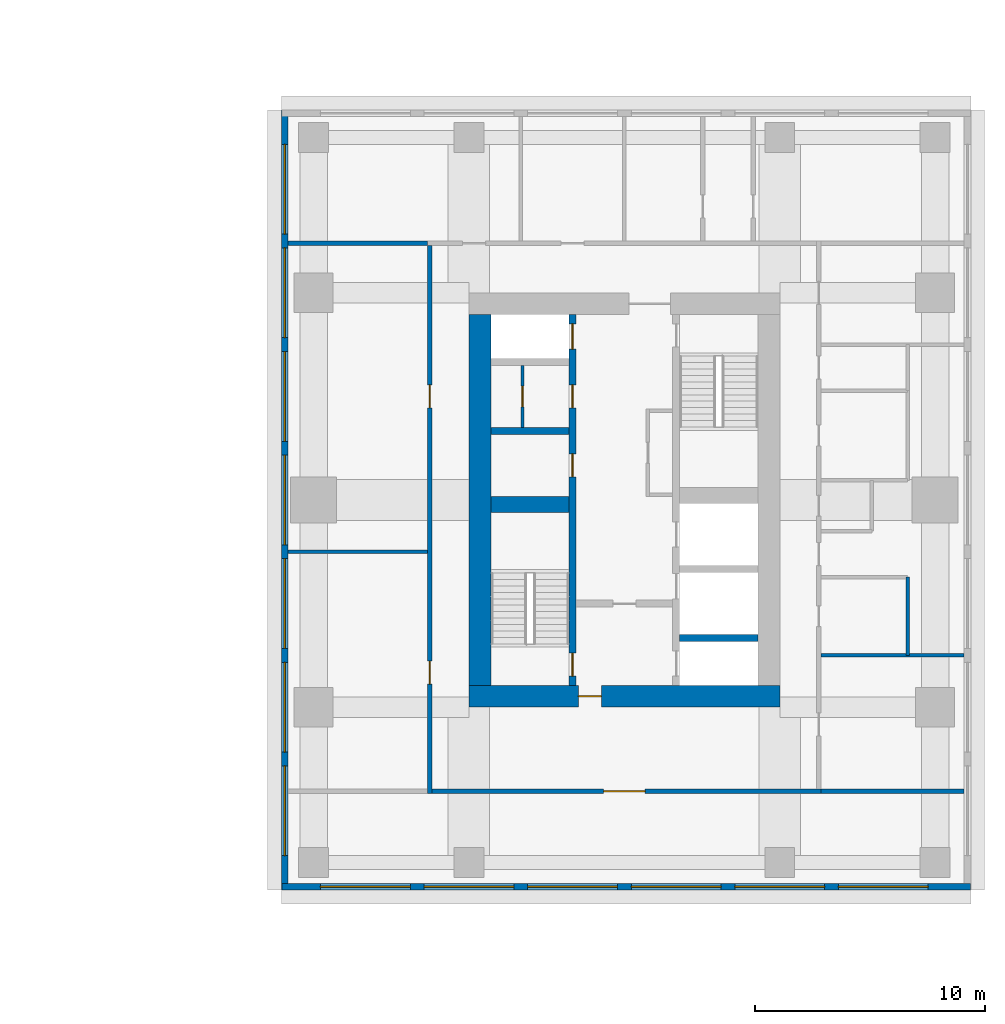
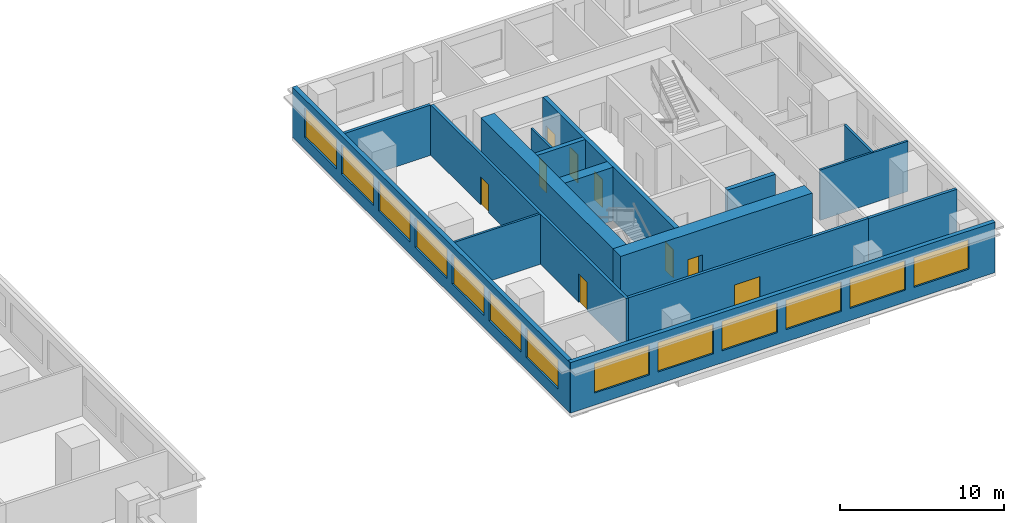
# One storey, part 6 of 11: 16 walls, 13 windows, 9 doors, 22 openings.
"""IFC4 building model written with IfcOpenShell, lengths in metres."""

from ifc_helpers import new_model, si_unit, direction, frame, frame_2d, origin, place, context, subcontext, project, spatial, rectangle, extrude, material, layer, layer_set, type_object, element, fill, save


model = new_model("IFC4")

# Units and contexts
model_context = context("Model", 3, precision=1e-05, world=origin(), true_north=direction((0.0, 1.0)))
body_context = subcontext(model_context, "Body", "Model", "MODEL_VIEW")
ifc_project = project(units=[si_unit("LENGTHUNIT", "METRE"), si_unit("AREAUNIT", "SQUARE_METRE"), si_unit("VOLUMEUNIT", "CUBIC_METRE"), si_unit("PLANEANGLEUNIT", "RADIAN"), si_unit("MASSUNIT", "GRAM", prefix="KILO")], contexts=[model_context])

# Site, building, storey
site_placement = place(None, origin())
site = spatial("IfcSite", under=ifc_project, at=site_placement, CompositionType="ELEMENT")
building_placement = place(site_placement, origin())
building = spatial("IfcBuilding", under=site, at=building_placement, Name="Namib Vertical Campus", CompositionType="ELEMENT")
storey_placement = place(building_placement, frame((0.0, 0.0, 209.0)))
storey = spatial("IfcBuildingStorey", under=building, at=storey_placement, Name="L49", CompositionType="ELEMENT", Elevation=209.0)

# Wall, openings, doors
ifc_material_1 = material(Name="Concrete C60/75", Category="concrete")
ifc_layer_1 = layer(ifc_material_1, 0.300048828125)
ifc_layer_set_1 = layer_set([ifc_layer_1], Name="Concrete C60/75")
wall_type_1 = type_object("IfcWallType", Name="Core inner wall 300", PredefinedType="SHEAR", material=ifc_layer_set_1)
wall_1_placement = place(storey_placement, frame((78.75, 12.199951171875, 0.0), z_axis=(0.0, 0.0, 1.0), x_axis=(0.0, 1.0, 0.0)))
wall_1 = element("IfcWall", 1, at=wall_1_placement, inside=storey, type_object=wall_type_1, Name="Core inner wall B L49 W1", PredefinedType="SHEAR", context=body_context, shape_type="SweptSolid", body=[
    extrude(rectangle(XDim=16.10009765625, YDim=0.300048828125, at=frame_2d((8.050048828125, 0.0))), origin(), (0.0, 0.0, 1.0), 4.0),
])
opening_1_placement = place(wall_1_placement, frame((0.39990234375, 0.0, 0.0)))
opening_1 = element("IfcOpeningElement", 2, at=opening_1_placement, cuts=wall_1, Name="Opening FD1", PredefinedType="OPENING", context=body_context, shape_type="SweptSolid", body=[
    extrude(rectangle(XDim=1.0, YDim=2.10009765625, at=frame_2d((0.5, 1.050048828125))), frame((0.0, 0.159912109375, 0.0), z_axis=(0.0, -1.0, 0.0), x_axis=(1.0, 0.0, 0.0)), (0.0, 0.0, 1.0), 0.320068359375),
])
opening_2_placement = place(wall_1_placement, frame((14.60009765625, 0.0, 0.0)))
opening_2 = element("IfcOpeningElement", 3, at=opening_2_placement, cuts=wall_1, Name="Opening LD1", PredefinedType="OPENING", context=body_context, shape_type="SweptSolid", body=[
    extrude(rectangle(XDim=1.10009765625, YDim=2.10009765625, at=frame_2d((0.550048828125, 1.050048828125))), frame((0.0, 0.159912109375, 0.0), z_axis=(0.0, -1.0, 0.0), x_axis=(1.0, 0.0, 0.0)), (0.0, 0.0, 1.0), 0.320068359375),
])
opening_3_placement = place(wall_1_placement, frame((9.050048828125, 0.0, 0.0)))
opening_3 = element("IfcOpeningElement", 4, at=opening_3_placement, cuts=wall_1, Name="Opening D1", PredefinedType="OPENING", context=body_context, shape_type="SweptSolid", body=[
    extrude(rectangle(XDim=1.0, YDim=2.10009765625, at=frame_2d((0.5, 1.050048828125))), frame((0.0, 0.159912109375, 0.0), z_axis=(0.0, -1.0, 0.0), x_axis=(1.0, 0.0, 0.0)), (0.0, 0.0, 1.0), 0.320068359375),
])
opening_4_placement = place(wall_1_placement, frame((12.050048828125, 0.0, 0.0)))
opening_4 = element("IfcOpeningElement", 5, at=opening_4_placement, cuts=wall_1, Name="Opening D1", PredefinedType="OPENING", context=body_context, shape_type="SweptSolid", body=[
    extrude(rectangle(XDim=1.0, YDim=2.10009765625, at=frame_2d((0.5, 1.050048828125))), frame((0.0, 0.159912109375, 0.0), z_axis=(0.0, -1.0, 0.0), x_axis=(1.0, 0.0, 0.0)), (0.0, 0.0, 1.0), 0.320068359375),
])
ifc_material_2 = material(Name="Timber door leaf", Category="wood")
door_type_1 = type_object("IfcDoorType", Name="Door single 1000x2100", OperationType="SINGLE_SWING_LEFT", PredefinedType="DOOR", material=ifc_material_2)
door_1_placement = place(opening_3_placement, origin())
door_1 = element("IfcDoor", 6, at=door_1_placement, inside=storey, type_object=door_type_1, Name="Door D1 Comms room B L49 P1", OperationType="SINGLE_SWING_LEFT", OverallHeight=2.10009765625, OverallWidth=1.0, PredefinedType="DOOR", context=body_context, shape_type="SweptSolid", body=[
    extrude(rectangle(XDim=1.0, YDim=2.10009765625, at=frame_2d((0.5, 1.050048828125))), frame((0.0, 0.02490234375, 0.0), z_axis=(0.0, -1.0, 0.0), x_axis=(1.0, 0.0, 0.0)), (0.0, 0.0, 1.0), 0.050048828125),
])
fill(opening_3, door_1)
door_2_placement = place(opening_4_placement, origin())
door_2 = element("IfcDoor", 7, at=door_2_placement, inside=storey, type_object=door_type_1, Name="Door D1 Store B L49 P2", OperationType="SINGLE_SWING_LEFT", OverallHeight=2.10009765625, OverallWidth=1.0, PredefinedType="DOOR", context=body_context, shape_type="SweptSolid", body=[
    extrude(rectangle(XDim=1.0, YDim=2.10009765625, at=frame_2d((0.5, 1.050048828125))), frame((0.0, 0.02490234375, 0.0), z_axis=(0.0, -1.0, 0.0), x_axis=(1.0, 0.0, 0.0)), (0.0, 0.0, 1.0), 0.050048828125),
])
fill(opening_4, door_2)
ifc_material_3 = material(Name="Steel fire door", Category="steel")
door_type_2 = type_object("IfcDoorType", Name="Fire door 1000x2100", OperationType="SINGLE_SWING_RIGHT", PredefinedType="DOOR", material=ifc_material_3)
door_3_placement = place(opening_1_placement, origin())
door_3 = element("IfcDoor", 8, at=door_3_placement, inside=storey, type_object=door_type_2, Name="Stair door FD1 B L49 S1", OperationType="SINGLE_SWING_LEFT", OverallHeight=2.10009765625, OverallWidth=1.0, PredefinedType="DOOR", context=body_context, shape_type="SweptSolid", body=[
    extrude(rectangle(XDim=1.0, YDim=2.10009765625, at=frame_2d((0.5, 1.050048828125))), frame((0.0, 0.02490234375, 0.0), z_axis=(0.0, -1.0, 0.0), x_axis=(1.0, 0.0, 0.0)), (0.0, 0.0, 1.0), 0.050048828125),
])
fill(opening_1, door_3)
ifc_material_4 = material(Name="Stainless steel lift door", Category="steel")
door_type_3 = type_object("IfcDoorType", Name="Lift landing door 1100x2100", OperationType="DOUBLE_DOOR_SLIDING", PredefinedType="DOOR", material=ifc_material_4)
door_4_placement = place(opening_2_placement, origin())
door_4 = element("IfcDoor", 9, at=door_4_placement, inside=storey, type_object=door_type_3, Name="Lift landing door LD1 B-P3 L49", OperationType="DOUBLE_DOOR_SLIDING", OverallHeight=2.10009765625, OverallWidth=1.10009765625, PredefinedType="DOOR", context=body_context, shape_type="SweptSolid", body=[
    extrude(rectangle(XDim=1.10009765625, YDim=2.10009765625, at=frame_2d((0.550048828125, 1.050048828125))), frame((0.0, 0.02490234375, 0.0), z_axis=(0.0, -1.0, 0.0), x_axis=(1.0, 0.0, 0.0)), (0.0, 0.0, 1.0), 0.050048828125),
])
fill(opening_2, door_4)

# Walls
for number, where, z_axis, x_axis, name in (
    (10, (83.39990234375, 14.25, 0.0), (0.0, 0.0, 1.0), (1.0, 0.0, 0.0), "Core inner wall B L49 W5"),
    (11, (75.199951171875, 23.25, 0.0), (0.0, 0.0, 1.0), (1.0, 0.0, 0.0), "Core inner wall B L49 W8"),
):
    element("IfcWall", number, at=place(storey_placement, frame(where, z_axis=z_axis, x_axis=x_axis)), inside=storey, type_object=wall_type_1, Name=name, PredefinedType="SHEAR", context=body_context, shape_type="SweptSolid", body=[
        extrude(rectangle(XDim=3.400146484375, YDim=0.300048828125, at=frame_2d((1.7001953125, 0.0))), origin(), (0.0, 0.0, 1.0), 4.0),
    ])
ifc_material_5 = material(Name="Concrete C60/75", Category="concrete")
ifc_layer_2 = layer(ifc_material_5, 0.699951171875)
ifc_layer_set_2 = layer_set([ifc_layer_2], Name="Concrete C60/75")
wall_type_2 = type_object("IfcWallType", Name="Core shear wall 700", PredefinedType="SHEAR", material=ifc_layer_set_2)
wall_2_placement = place(storey_placement, frame((75.199951171875, 20.050048828125, 0.0), z_axis=(0.0, 0.0, 1.0), x_axis=(1.0, 0.0, 0.0)))
element("IfcWall", 12, at=wall_2_placement, inside=storey, type_object=wall_type_2, Name="Core shear wall B L49 W3", PredefinedType="SHEAR", context=body_context, shape_type="SweptSolid", body=[
    extrude(rectangle(XDim=3.400146484375, YDim=0.699951171875, at=frame_2d((1.7001953125, 0.0))), origin(), (0.0, 0.0, 1.0), 4.0),
])

# Wall, opening, door
ifc_material_6 = material(Name="Concrete C60/75", Category="concrete")
ifc_layer_3 = layer(ifc_material_6, 0.949951171875)
ifc_layer_set_3 = layer_set([ifc_layer_3], Name="Concrete C60/75")
wall_type_3 = type_object("IfcWallType", Name="Core wall 950", PredefinedType="SHEAR", material=ifc_layer_set_3)
wall_3_placement = place(storey_placement, frame((74.25, 11.72509765625, 0.0), z_axis=(0.0, 0.0, 1.0), x_axis=(1.0, 0.0, 0.0)))
wall_3 = element("IfcWall", 13, at=wall_3_placement, inside=storey, type_object=wall_type_3, Name="Core wall B L49 1", PredefinedType="SHEAR", context=body_context, shape_type="SweptSolid", body=[
    extrude(rectangle(XDim=13.5, YDim=0.949951171875, at=frame_2d((6.75, 0.0))), origin(), (0.0, 0.0, 1.0), 4.0),
])
opening_5_placement = place(wall_3_placement, frame((4.75, 0.0, 0.0)))
opening_5 = element("IfcOpeningElement", 14, at=opening_5_placement, cuts=wall_3, Name="Opening FD5", PredefinedType="OPENING", context=body_context, shape_type="SweptSolid", body=[
    extrude(rectangle(XDim=1.0, YDim=2.10009765625, at=frame_2d((0.5, 1.050048828125))), frame((0.0, 0.48486328125, 0.0), z_axis=(0.0, -1.0, 0.0), x_axis=(1.0, 0.0, 0.0)), (0.0, 0.0, 1.0), 0.969970703125),
])
ifc_material_7 = material(Name="Steel fire door", Category="steel")
door_type_4 = type_object("IfcDoorType", Name="Fire door 1000x2100 120 min", OperationType="SINGLE_SWING_RIGHT", PredefinedType="DOOR", material=ifc_material_7)
door_5_placement = place(opening_5_placement, origin())
door_5 = element("IfcDoor", 15, at=door_5_placement, inside=storey, type_object=door_type_4, Name="Firefighting lobby door FD5 B L49", OperationType="SINGLE_SWING_LEFT", OverallHeight=2.10009765625, OverallWidth=1.0, PredefinedType="DOOR", context=body_context, shape_type="SweptSolid", body=[
    extrude(rectangle(XDim=1.0, YDim=2.10009765625, at=frame_2d((0.5, 1.050048828125))), frame((0.0, 0.02490234375, 0.0), z_axis=(0.0, -1.0, 0.0), x_axis=(1.0, 0.0, 0.0)), (0.0, 0.0, 1.0), 0.050048828125),
])
fill(opening_5, door_5)

# Wall
wall_4_placement = place(storey_placement, frame((74.72509765625, 28.300048828125, 0.0), z_axis=(0.0, 0.0, 1.0), x_axis=(0.0, -1.0, 0.0)))
element("IfcWall", 16, at=wall_4_placement, inside=storey, type_object=wall_type_3, Name="Core wall B L49 4", PredefinedType="SHEAR", context=body_context, shape_type="SweptSolid", body=[
    extrude(rectangle(XDim=16.10009765625, YDim=0.949951171875, at=frame_2d((8.050048828125, 0.0))), origin(), (0.0, 0.0, 1.0), 4.0),
])

# Wall, opening, door
ifc_material_8 = material(Name="Concrete masonry", Category="masonry")
ifc_layer_4 = layer(ifc_material_8, 0.199951171875)
ifc_layer_set_4 = layer_set([ifc_layer_4], Name="Corridor wall 200")
wall_type_4 = type_object("IfcWallType", Name="Corridor wall 200", PredefinedType="SOLIDWALL", material=ifc_layer_set_4)
wall_5_placement = place(storey_placement, frame((72.64990234375, 7.60009765625, 0.0), z_axis=(0.0, 0.0, 1.0), x_axis=(1.0, 0.0, 0.0)))
wall_5 = element("IfcWall", 17, at=wall_5_placement, inside=storey, type_object=wall_type_4, Name="Corridor wall B L49 CS", PredefinedType="SOLIDWALL", context=body_context, shape_type="SweptSolid", body=[
    extrude(rectangle(XDim=16.900146484375, YDim=0.199951171875, at=frame_2d((8.4501953125, 0.0))), origin(), (0.0, 0.0, 1.0), 3.75),
])
opening_6_placement = place(wall_5_placement, frame((7.449951171875, 0.0, 0.0)))
opening_6 = element("IfcOpeningElement", 18, at=opening_6_placement, cuts=wall_5, Name="Opening CD2", PredefinedType="OPENING", context=body_context, shape_type="SweptSolid", body=[
    extrude(rectangle(XDim=1.800048828125, YDim=2.10009765625, at=frame_2d((0.89990234375, 1.050048828125))), frame((0.0, 0.10986328125, 0.0), z_axis=(0.0, -1.0, 0.0), x_axis=(1.0, 0.0, 0.0)), (0.0, 0.0, 1.0), 0.219970703125),
])
ifc_material_9 = material(Name="Timber fire door leaf", Category="wood")
door_type_5 = type_object("IfcDoorType", Name="Corridor door double 1800x2100 20 min", OperationType="DOUBLE_DOOR_SINGLE_SWING", PredefinedType="DOOR", material=ifc_material_9)
door_6_placement = place(opening_6_placement, frame((1.800048828125, 0.0, 0.0), z_axis=(0.0, 0.0, 1.0), x_axis=(-1.0, 0.0, 0.0)))
door_6 = element("IfcDoor", 19, at=door_6_placement, inside=storey, type_object=door_type_5, Name="Door CD2 B49-01", OperationType="DOUBLE_DOOR_SINGLE_SWING", OverallHeight=2.10009765625, OverallWidth=1.800048828125, PredefinedType="DOOR", context=body_context, shape_type="SweptSolid", body=[
    extrude(rectangle(XDim=1.800048828125, YDim=2.10009765625, at=frame_2d((0.89990234375, 1.050048828125))), frame((0.0, 0.02490234375, 0.0), z_axis=(0.0, -1.0, 0.0), x_axis=(1.0, 0.0, 0.0)), (0.0, 0.0, 1.0), 0.050048828125),
])
fill(opening_6, door_6)

# Wall, openings, doors
wall_6_placement = place(storey_placement, frame((72.550048828125, 31.300048828125, 0.0), z_axis=(0.0, 0.0, 1.0), x_axis=(0.0, -1.0, 0.0)))
wall_6 = element("IfcWall", 20, at=wall_6_placement, inside=storey, type_object=wall_type_4, Name="Corridor wall B L49 CW", PredefinedType="SOLIDWALL", context=body_context, shape_type="SweptSolid", body=[
    extrude(rectangle(XDim=23.800048828125, YDim=0.199951171875, at=frame_2d((11.89990234375, 0.0))), origin(), (0.0, 0.0, 1.0), 3.75),
])
opening_7_placement = place(wall_6_placement, frame((18.050048828125, 0.0, 0.0)))
opening_7 = element("IfcOpeningElement", 21, at=opening_7_placement, cuts=wall_6, Name="Opening CD1", PredefinedType="OPENING", context=body_context, shape_type="SweptSolid", body=[
    extrude(rectangle(XDim=1.0, YDim=2.10009765625, at=frame_2d((0.5, 1.050048828125))), frame((0.0, 0.10986328125, 0.0), z_axis=(0.0, -1.0, 0.0), x_axis=(1.0, 0.0, 0.0)), (0.0, 0.0, 1.0), 0.219970703125),
])
opening_8_placement = place(wall_6_placement, frame((6.050048828125, 0.0, 0.0)))
opening_8 = element("IfcOpeningElement", 22, at=opening_8_placement, cuts=wall_6, Name="Opening CD1", PredefinedType="OPENING", context=body_context, shape_type="SweptSolid", body=[
    extrude(rectangle(XDim=1.0, YDim=2.10009765625, at=frame_2d((0.5, 1.050048828125))), frame((0.0, 0.10986328125, 0.0), z_axis=(0.0, -1.0, 0.0), x_axis=(1.0, 0.0, 0.0)), (0.0, 0.0, 1.0), 0.219970703125),
])
ifc_material_10 = material(Name="Timber fire door leaf", Category="wood")
door_type_6 = type_object("IfcDoorType", Name="Corridor door 1000x2100 20 min", OperationType="SINGLE_SWING_LEFT", PredefinedType="DOOR", material=ifc_material_10)
door_7_placement = place(opening_7_placement, frame((1.0, 0.0, 0.0), z_axis=(0.0, 0.0, 1.0), x_axis=(-1.0, 0.0, 0.0)))
door_7 = element("IfcDoor", 23, at=door_7_placement, inside=storey, type_object=door_type_6, Name="Door CD1 B49-13", OperationType="SINGLE_SWING_RIGHT", OverallHeight=2.10009765625, OverallWidth=1.0, PredefinedType="DOOR", context=body_context, shape_type="SweptSolid", body=[
    extrude(rectangle(XDim=1.0, YDim=2.10009765625, at=frame_2d((0.5, 1.050048828125))), frame((0.0, 0.02490234375, 0.0), z_axis=(0.0, -1.0, 0.0), x_axis=(1.0, 0.0, 0.0)), (0.0, 0.0, 1.0), 0.050048828125),
])
fill(opening_7, door_7)
door_8_placement = place(opening_8_placement, frame((1.0, 0.0, 0.0), z_axis=(0.0, 0.0, 1.0), x_axis=(-1.0, 0.0, 0.0)))
door_8 = element("IfcDoor", 24, at=door_8_placement, inside=storey, type_object=door_type_6, Name="Door CD1 B49-14", OperationType="SINGLE_SWING_RIGHT", OverallHeight=2.10009765625, OverallWidth=1.0, PredefinedType="DOOR", context=body_context, shape_type="SweptSolid", body=[
    extrude(rectangle(XDim=1.0, YDim=2.10009765625, at=frame_2d((0.5, 1.050048828125))), frame((0.0, 0.02490234375, 0.0), z_axis=(0.0, -1.0, 0.0), x_axis=(1.0, 0.0, 0.0)), (0.0, 0.0, 1.0), 0.050048828125),
])
fill(opening_8, door_8)

# Walls
wall_7_placement = place(storey_placement, frame((89.550048828125, 7.60009765625, 0.0), z_axis=(0.0, 0.0, 1.0), x_axis=(1.0, 0.0, 0.0)))
element("IfcWall", 25, at=wall_7_placement, inside=storey, type_object=wall_type_4, Name="Partition B L49 BSE", PredefinedType="SOLIDWALL", context=body_context, shape_type="SweptSolid", body=[
    extrude(rectangle(XDim=6.199951171875, YDim=0.199951171875, at=frame_2d((3.10009765625, 0.0))), origin(), (0.0, 0.0, 1.0), 3.75),
])
wall_8_placement = place(storey_placement, frame((66.39990234375, 31.39990234375, 0.0), z_axis=(0.0, 0.0, 1.0), x_axis=(1.0, 0.0, 0.0)))
element("IfcWall", 26, at=wall_8_placement, inside=storey, type_object=wall_type_4, Name="Partition B L49 BNW", PredefinedType="SOLIDWALL", context=body_context, shape_type="SweptSolid", body=[
    extrude(rectangle(XDim=6.050048828125, YDim=0.199951171875, at=frame_2d((3.02490234375, 0.0))), origin(), (0.0, 0.0, 1.0), 3.75),
])

# Wall, openings, windows
ifc_material_11 = material(Name="Concrete C40/50", Category="concrete")
ifc_layer_5 = layer(ifc_material_11, 0.300048828125)
ifc_layer_set_5 = layer_set([ifc_layer_5], Name="Concrete C40/50")
wall_type_5 = type_object("IfcWallType", Name="External wall 300 board-marked concrete", PredefinedType="STANDARD", material=ifc_layer_set_5)
wall_9_placement = place(storey_placement, frame((66.1201171875, 3.449951171875, 0.0), z_axis=(0.0, 0.0, 1.0), x_axis=(1.0, 0.0, 0.0)))
wall_9 = element("IfcWall", 27, at=wall_9_placement, inside=storey, type_object=wall_type_5, Name="External wall L49 F01", PredefinedType="STANDARD", context=body_context, shape_type="SweptSolid", body=[
    extrude(rectangle(XDim=29.909912109375, YDim=0.300048828125, at=frame_2d((14.955078125, 0.0))), origin(), (0.0, 0.0, 1.0), 3.75),
])
opening_9_placement = place(wall_9_placement, frame((1.679931640625, 0.0, 0.89990234375)))
opening_9 = element("IfcOpeningElement", 28, at=opening_9_placement, cuts=wall_9, Name="Opening W1", PredefinedType="OPENING", context=body_context, shape_type="SweptSolid", body=[
    extrude(rectangle(XDim=3.89990234375, YDim=2.199951171875, at=frame_2d((1.949951171875, 1.10009765625))), frame((0.0, 0.159912109375, 0.0), z_axis=(0.0, -1.0, 0.0), x_axis=(1.0, 0.0, 0.0)), (0.0, 0.0, 1.0), 0.320068359375),
])
opening_10_placement = place(wall_9_placement, frame((6.179931640625, 0.0, 0.89990234375)))
opening_10 = element("IfcOpeningElement", 29, at=opening_10_placement, cuts=wall_9, Name="Opening W1", PredefinedType="OPENING", context=body_context, shape_type="SweptSolid", body=[
    extrude(rectangle(XDim=3.89990234375, YDim=2.199951171875, at=frame_2d((1.949951171875, 1.10009765625))), frame((0.0, 0.159912109375, 0.0), z_axis=(0.0, -1.0, 0.0), x_axis=(1.0, 0.0, 0.0)), (0.0, 0.0, 1.0), 0.320068359375),
])
opening_11_placement = place(wall_9_placement, frame((10.679931640625, 0.0, 0.89990234375)))
opening_11 = element("IfcOpeningElement", 30, at=opening_11_placement, cuts=wall_9, Name="Opening W1", PredefinedType="OPENING", context=body_context, shape_type="SweptSolid", body=[
    extrude(rectangle(XDim=3.89990234375, YDim=2.199951171875, at=frame_2d((1.949951171875, 1.10009765625))), frame((0.0, 0.159912109375, 0.0), z_axis=(0.0, -1.0, 0.0), x_axis=(1.0, 0.0, 0.0)), (0.0, 0.0, 1.0), 0.320068359375),
])
opening_12_placement = place(wall_9_placement, frame((15.179931640625, 0.0, 0.89990234375)))
opening_12 = element("IfcOpeningElement", 31, at=opening_12_placement, cuts=wall_9, Name="Opening W1", PredefinedType="OPENING", context=body_context, shape_type="SweptSolid", body=[
    extrude(rectangle(XDim=3.89990234375, YDim=2.199951171875, at=frame_2d((1.949951171875, 1.10009765625))), frame((0.0, 0.159912109375, 0.0), z_axis=(0.0, -1.0, 0.0), x_axis=(1.0, 0.0, 0.0)), (0.0, 0.0, 1.0), 0.320068359375),
])
opening_13_placement = place(wall_9_placement, frame((19.679931640625, 0.0, 0.89990234375)))
opening_13 = element("IfcOpeningElement", 32, at=opening_13_placement, cuts=wall_9, Name="Opening W1", PredefinedType="OPENING", context=body_context, shape_type="SweptSolid", body=[
    extrude(rectangle(XDim=3.89990234375, YDim=2.199951171875, at=frame_2d((1.949951171875, 1.10009765625))), frame((0.0, 0.159912109375, 0.0), z_axis=(0.0, -1.0, 0.0), x_axis=(1.0, 0.0, 0.0)), (0.0, 0.0, 1.0), 0.320068359375),
])
opening_14_placement = place(wall_9_placement, frame((24.179931640625, 0.0, 0.89990234375)))
opening_14 = element("IfcOpeningElement", 33, at=opening_14_placement, cuts=wall_9, Name="Opening W1", PredefinedType="OPENING", context=body_context, shape_type="SweptSolid", body=[
    extrude(rectangle(XDim=3.89990234375, YDim=2.199951171875, at=frame_2d((1.949951171875, 1.10009765625))), frame((0.0, 0.159912109375, 0.0), z_axis=(0.0, -1.0, 0.0), x_axis=(1.0, 0.0, 0.0)), (0.0, 0.0, 1.0), 0.320068359375),
])
ifc_material_12 = material(Name="Dark tinted glass in black aluminium frame", Category="aluminium")
window_type = type_object("IfcWindowType", Name="Ribbon window 3900x2200", PartitioningType="SINGLE_PANEL", PredefinedType="WINDOW", material=ifc_material_12)
window_1_placement = place(opening_9_placement, origin())
window_1 = element("IfcWindow", 34, at=window_1_placement, inside=storey, type_object=window_type, Name="Window W1 L49 F01-1", OverallHeight=2.199951171875, OverallWidth=3.89990234375, PartitioningType="SINGLE_PANEL", PredefinedType="WINDOW", context=body_context, shape_type="SweptSolid", body=[
    extrude(rectangle(XDim=3.89990234375, YDim=2.199951171875, at=frame_2d((1.949951171875, 1.10009765625))), frame((0.0, 0.030029296875, 0.0), z_axis=(0.0, -1.0, 0.0), x_axis=(1.0, 0.0, 0.0)), (0.0, 0.0, 1.0), 0.06005859375),
])
fill(opening_9, window_1)
window_2_placement = place(opening_10_placement, origin())
window_2 = element("IfcWindow", 35, at=window_2_placement, inside=storey, type_object=window_type, Name="Window W1 L49 F01-2", OverallHeight=2.199951171875, OverallWidth=3.89990234375, PartitioningType="SINGLE_PANEL", PredefinedType="WINDOW", context=body_context, shape_type="SweptSolid", body=[
    extrude(rectangle(XDim=3.89990234375, YDim=2.199951171875, at=frame_2d((1.949951171875, 1.10009765625))), frame((0.0, 0.030029296875, 0.0), z_axis=(0.0, -1.0, 0.0), x_axis=(1.0, 0.0, 0.0)), (0.0, 0.0, 1.0), 0.06005859375),
])
fill(opening_10, window_2)
window_3_placement = place(opening_11_placement, origin())
window_3 = element("IfcWindow", 36, at=window_3_placement, inside=storey, type_object=window_type, Name="Window W1 L49 F01-3", OverallHeight=2.199951171875, OverallWidth=3.89990234375, PartitioningType="SINGLE_PANEL", PredefinedType="WINDOW", context=body_context, shape_type="SweptSolid", body=[
    extrude(rectangle(XDim=3.89990234375, YDim=2.199951171875, at=frame_2d((1.949951171875, 1.10009765625))), frame((0.0, 0.030029296875, 0.0), z_axis=(0.0, -1.0, 0.0), x_axis=(1.0, 0.0, 0.0)), (0.0, 0.0, 1.0), 0.06005859375),
])
fill(opening_11, window_3)
window_4_placement = place(opening_12_placement, origin())
window_4 = element("IfcWindow", 37, at=window_4_placement, inside=storey, type_object=window_type, Name="Window W1 L49 F01-4", OverallHeight=2.199951171875, OverallWidth=3.89990234375, PartitioningType="SINGLE_PANEL", PredefinedType="WINDOW", context=body_context, shape_type="SweptSolid", body=[
    extrude(rectangle(XDim=3.89990234375, YDim=2.199951171875, at=frame_2d((1.949951171875, 1.10009765625))), frame((0.0, 0.030029296875, 0.0), z_axis=(0.0, -1.0, 0.0), x_axis=(1.0, 0.0, 0.0)), (0.0, 0.0, 1.0), 0.06005859375),
])
fill(opening_12, window_4)
window_5_placement = place(opening_13_placement, origin())
window_5 = element("IfcWindow", 38, at=window_5_placement, inside=storey, type_object=window_type, Name="Window W1 L49 F01-5", OverallHeight=2.199951171875, OverallWidth=3.89990234375, PartitioningType="SINGLE_PANEL", PredefinedType="WINDOW", context=body_context, shape_type="SweptSolid", body=[
    extrude(rectangle(XDim=3.89990234375, YDim=2.199951171875, at=frame_2d((1.949951171875, 1.10009765625))), frame((0.0, 0.030029296875, 0.0), z_axis=(0.0, -1.0, 0.0), x_axis=(1.0, 0.0, 0.0)), (0.0, 0.0, 1.0), 0.06005859375),
])
fill(opening_13, window_5)
window_6_placement = place(opening_14_placement, origin())
window_6 = element("IfcWindow", 39, at=window_6_placement, inside=storey, type_object=window_type, Name="Window W1 L49 F01-6", OverallHeight=2.199951171875, OverallWidth=3.89990234375, PartitioningType="SINGLE_PANEL", PredefinedType="WINDOW", context=body_context, shape_type="SweptSolid", body=[
    extrude(rectangle(XDim=3.89990234375, YDim=2.199951171875, at=frame_2d((1.949951171875, 1.10009765625))), frame((0.0, 0.030029296875, 0.0), z_axis=(0.0, -1.0, 0.0), x_axis=(1.0, 0.0, 0.0)), (0.0, 0.0, 1.0), 0.06005859375),
])
fill(opening_14, window_6)

wall_10_placement = place(storey_placement, frame((66.25, 37.179931640625, 0.0), z_axis=(0.0, 0.0, 1.0), x_axis=(0.0, -1.0, 0.0)))
wall_10 = element("IfcWall", 40, at=wall_10_placement, inside=storey, type_object=wall_type_5, Name="External wall L49 F04", PredefinedType="STANDARD", context=body_context, shape_type="SweptSolid", body=[
    extrude(rectangle(XDim=33.85986328125, YDim=0.300048828125, at=frame_2d((16.929931640625, 0.0))), origin(), (0.0, 0.0, 1.0), 3.75),
])
opening_15_placement = place(wall_10_placement, frame((28.47998046875, 0.0, 0.89990234375)))
opening_15 = element("IfcOpeningElement", 41, at=opening_15_placement, cuts=wall_10, Name="Opening W1", PredefinedType="OPENING", context=body_context, shape_type="SweptSolid", body=[
    extrude(rectangle(XDim=3.89990234375, YDim=2.199951171875, at=frame_2d((1.949951171875, 1.10009765625))), frame((0.0, 0.159912109375, 0.0), z_axis=(0.0, -1.0, 0.0), x_axis=(1.0, 0.0, 0.0)), (0.0, 0.0, 1.0), 0.320068359375),
])
opening_16_placement = place(wall_10_placement, frame((23.97998046875, 0.0, 0.89990234375)))
opening_16 = element("IfcOpeningElement", 42, at=opening_16_placement, cuts=wall_10, Name="Opening W1", PredefinedType="OPENING", context=body_context, shape_type="SweptSolid", body=[
    extrude(rectangle(XDim=3.89990234375, YDim=2.199951171875, at=frame_2d((1.949951171875, 1.10009765625))), frame((0.0, 0.159912109375, 0.0), z_axis=(0.0, -1.0, 0.0), x_axis=(1.0, 0.0, 0.0)), (0.0, 0.0, 1.0), 0.320068359375),
])
opening_17_placement = place(wall_10_placement, frame((19.47998046875, 0.0, 0.89990234375)))
opening_17 = element("IfcOpeningElement", 43, at=opening_17_placement, cuts=wall_10, Name="Opening W1", PredefinedType="OPENING", context=body_context, shape_type="SweptSolid", body=[
    extrude(rectangle(XDim=3.89990234375, YDim=2.199951171875, at=frame_2d((1.949951171875, 1.10009765625))), frame((0.0, 0.159912109375, 0.0), z_axis=(0.0, -1.0, 0.0), x_axis=(1.0, 0.0, 0.0)), (0.0, 0.0, 1.0), 0.320068359375),
])
opening_18_placement = place(wall_10_placement, frame((14.97998046875, 0.0, 0.89990234375)))
opening_18 = element("IfcOpeningElement", 44, at=opening_18_placement, cuts=wall_10, Name="Opening W1", PredefinedType="OPENING", context=body_context, shape_type="SweptSolid", body=[
    extrude(rectangle(XDim=3.89990234375, YDim=2.199951171875, at=frame_2d((1.949951171875, 1.10009765625))), frame((0.0, 0.159912109375, 0.0), z_axis=(0.0, -1.0, 0.0), x_axis=(1.0, 0.0, 0.0)), (0.0, 0.0, 1.0), 0.320068359375),
])
opening_19_placement = place(wall_10_placement, frame((10.47998046875, 0.0, 0.89990234375)))
opening_19 = element("IfcOpeningElement", 45, at=opening_19_placement, cuts=wall_10, Name="Opening W1", PredefinedType="OPENING", context=body_context, shape_type="SweptSolid", body=[
    extrude(rectangle(XDim=3.89990234375, YDim=2.199951171875, at=frame_2d((1.949951171875, 1.10009765625))), frame((0.0, 0.159912109375, 0.0), z_axis=(0.0, -1.0, 0.0), x_axis=(1.0, 0.0, 0.0)), (0.0, 0.0, 1.0), 0.320068359375),
])
opening_20_placement = place(wall_10_placement, frame((5.97998046875, 0.0, 0.89990234375)))
opening_20 = element("IfcOpeningElement", 46, at=opening_20_placement, cuts=wall_10, Name="Opening W1", PredefinedType="OPENING", context=body_context, shape_type="SweptSolid", body=[
    extrude(rectangle(XDim=3.89990234375, YDim=2.199951171875, at=frame_2d((1.949951171875, 1.10009765625))), frame((0.0, 0.159912109375, 0.0), z_axis=(0.0, -1.0, 0.0), x_axis=(1.0, 0.0, 0.0)), (0.0, 0.0, 1.0), 0.320068359375),
])
opening_21_placement = place(wall_10_placement, frame((1.47998046875, 0.0, 0.89990234375)))
opening_21 = element("IfcOpeningElement", 47, at=opening_21_placement, cuts=wall_10, Name="Opening W1", PredefinedType="OPENING", context=body_context, shape_type="SweptSolid", body=[
    extrude(rectangle(XDim=3.89990234375, YDim=2.199951171875, at=frame_2d((1.949951171875, 1.10009765625))), frame((0.0, 0.159912109375, 0.0), z_axis=(0.0, -1.0, 0.0), x_axis=(1.0, 0.0, 0.0)), (0.0, 0.0, 1.0), 0.320068359375),
])
window_7_placement = place(opening_15_placement, origin())
window_7 = element("IfcWindow", 48, at=window_7_placement, inside=storey, type_object=window_type, Name="Window W1 L49 F04-1", OverallHeight=2.199951171875, OverallWidth=3.89990234375, PartitioningType="SINGLE_PANEL", PredefinedType="WINDOW", context=body_context, shape_type="SweptSolid", body=[
    extrude(rectangle(XDim=3.89990234375, YDim=2.199951171875, at=frame_2d((1.949951171875, 1.10009765625))), frame((0.0, 0.030029296875, 0.0), z_axis=(0.0, -1.0, 0.0), x_axis=(1.0, 0.0, 0.0)), (0.0, 0.0, 1.0), 0.06005859375),
])
fill(opening_15, window_7)
window_8_placement = place(opening_16_placement, origin())
window_8 = element("IfcWindow", 49, at=window_8_placement, inside=storey, type_object=window_type, Name="Window W1 L49 F04-2", OverallHeight=2.199951171875, OverallWidth=3.89990234375, PartitioningType="SINGLE_PANEL", PredefinedType="WINDOW", context=body_context, shape_type="SweptSolid", body=[
    extrude(rectangle(XDim=3.89990234375, YDim=2.199951171875, at=frame_2d((1.949951171875, 1.10009765625))), frame((0.0, 0.030029296875, 0.0), z_axis=(0.0, -1.0, 0.0), x_axis=(1.0, 0.0, 0.0)), (0.0, 0.0, 1.0), 0.06005859375),
])
fill(opening_16, window_8)
window_9_placement = place(opening_17_placement, origin())
window_9 = element("IfcWindow", 50, at=window_9_placement, inside=storey, type_object=window_type, Name="Window W1 L49 F04-3", OverallHeight=2.199951171875, OverallWidth=3.89990234375, PartitioningType="SINGLE_PANEL", PredefinedType="WINDOW", context=body_context, shape_type="SweptSolid", body=[
    extrude(rectangle(XDim=3.89990234375, YDim=2.199951171875, at=frame_2d((1.949951171875, 1.10009765625))), frame((0.0, 0.030029296875, 0.0), z_axis=(0.0, -1.0, 0.0), x_axis=(1.0, 0.0, 0.0)), (0.0, 0.0, 1.0), 0.06005859375),
])
fill(opening_17, window_9)
window_10_placement = place(opening_18_placement, origin())
window_10 = element("IfcWindow", 51, at=window_10_placement, inside=storey, type_object=window_type, Name="Window W1 L49 F04-4", OverallHeight=2.199951171875, OverallWidth=3.89990234375, PartitioningType="SINGLE_PANEL", PredefinedType="WINDOW", context=body_context, shape_type="SweptSolid", body=[
    extrude(rectangle(XDim=3.89990234375, YDim=2.199951171875, at=frame_2d((1.949951171875, 1.10009765625))), frame((0.0, 0.030029296875, 0.0), z_axis=(0.0, -1.0, 0.0), x_axis=(1.0, 0.0, 0.0)), (0.0, 0.0, 1.0), 0.06005859375),
])
fill(opening_18, window_10)
window_11_placement = place(opening_19_placement, origin())
window_11 = element("IfcWindow", 52, at=window_11_placement, inside=storey, type_object=window_type, Name="Window W1 L49 F04-5", OverallHeight=2.199951171875, OverallWidth=3.89990234375, PartitioningType="SINGLE_PANEL", PredefinedType="WINDOW", context=body_context, shape_type="SweptSolid", body=[
    extrude(rectangle(XDim=3.89990234375, YDim=2.199951171875, at=frame_2d((1.949951171875, 1.10009765625))), frame((0.0, 0.030029296875, 0.0), z_axis=(0.0, -1.0, 0.0), x_axis=(1.0, 0.0, 0.0)), (0.0, 0.0, 1.0), 0.06005859375),
])
fill(opening_19, window_11)
window_12_placement = place(opening_20_placement, origin())
window_12 = element("IfcWindow", 53, at=window_12_placement, inside=storey, type_object=window_type, Name="Window W1 L49 F04-6", OverallHeight=2.199951171875, OverallWidth=3.89990234375, PartitioningType="SINGLE_PANEL", PredefinedType="WINDOW", context=body_context, shape_type="SweptSolid", body=[
    extrude(rectangle(XDim=3.89990234375, YDim=2.199951171875, at=frame_2d((1.949951171875, 1.10009765625))), frame((0.0, 0.030029296875, 0.0), z_axis=(0.0, -1.0, 0.0), x_axis=(1.0, 0.0, 0.0)), (0.0, 0.0, 1.0), 0.06005859375),
])
fill(opening_20, window_12)
window_13_placement = place(opening_21_placement, origin())
window_13 = element("IfcWindow", 54, at=window_13_placement, inside=storey, type_object=window_type, Name="Window W1 L49 F04-7", OverallHeight=2.199951171875, OverallWidth=3.89990234375, PartitioningType="SINGLE_PANEL", PredefinedType="WINDOW", context=body_context, shape_type="SweptSolid", body=[
    extrude(rectangle(XDim=3.89990234375, YDim=2.199951171875, at=frame_2d((1.949951171875, 1.10009765625))), frame((0.0, 0.030029296875, 0.0), z_axis=(0.0, -1.0, 0.0), x_axis=(1.0, 0.0, 0.0)), (0.0, 0.0, 1.0), 0.06005859375),
])
fill(opening_21, window_13)

# Wall, opening, door
ifc_material_13 = material(Name="Gypsum board on steel studs", Category="steel")
ifc_layer_6 = layer(ifc_material_13, 0.14990234375)
ifc_layer_set_6 = layer_set([ifc_layer_6], Name="Gypsum board on steel studs")
wall_type_6 = type_object("IfcWallType", Name="Partition 150", PredefinedType="PARTITIONING", material=ifc_layer_set_6)
wall_11_placement = place(storey_placement, frame((76.574951171875, 23.39990234375, 0.0), z_axis=(0.0, 0.0, 1.0), x_axis=(0.0, 1.0, 0.0)))
wall_11 = element("IfcWall", 55, at=wall_11_placement, inside=storey, type_object=wall_type_6, Name="Partition B L49 Store P2 back", PredefinedType="PARTITIONING", context=body_context, shape_type="SweptSolid", body=[
    extrude(rectangle(XDim=2.7001953125, YDim=0.14990234375, at=frame_2d((1.35009765625, 0.0))), origin(), (0.0, 0.0, 1.0), 3.75),
])
opening_22_placement = place(wall_11_placement, frame((0.89990234375, 0.0, 0.0)))
opening_22 = element("IfcOpeningElement", 56, at=opening_22_placement, cuts=wall_11, Name="Opening D3", PredefinedType="OPENING", context=body_context, shape_type="SweptSolid", body=[
    extrude(rectangle(XDim=0.89990234375, YDim=2.10009765625, at=frame_2d((0.449951171875, 1.050048828125))), frame((0.0, 0.0849609375, 0.0), z_axis=(0.0, -1.0, 0.0), x_axis=(1.0, 0.0, 0.0)), (0.0, 0.0, 1.0), 0.169921875),
])
ifc_material_14 = material(Name="Timber door leaf", Category="wood")
door_type_7 = type_object("IfcDoorType", Name="Toilet door 900x2100", OperationType="SINGLE_SWING_LEFT", PredefinedType="DOOR", material=ifc_material_14)
door_9_placement = place(opening_22_placement, origin())
door_9 = element("IfcDoor", 57, at=door_9_placement, inside=storey, type_object=door_type_7, Name="Door D3 Store B L49 P2", OperationType="SINGLE_SWING_LEFT", OverallHeight=2.10009765625, OverallWidth=0.89990234375, PredefinedType="DOOR", context=body_context, shape_type="SweptSolid", body=[
    extrude(rectangle(XDim=0.89990234375, YDim=2.10009765625, at=frame_2d((0.449951171875, 1.050048828125))), frame((0.0, 0.02490234375, 0.0), z_axis=(0.0, -1.0, 0.0), x_axis=(1.0, 0.0, 0.0)), (0.0, 0.0, 1.0), 0.050048828125),
])
fill(opening_22, door_9)

# Walls
wall_12_placement = place(storey_placement, frame((89.550048828125, 13.5, 0.0), z_axis=(0.0, 0.0, 1.0), x_axis=(1.0, 0.0, 0.0)))
element("IfcWall", 58, at=wall_12_placement, inside=storey, type_object=wall_type_6, Name="Partition B L49 PE1", PredefinedType="PARTITIONING", context=body_context, shape_type="SweptSolid", body=[
    extrude(rectangle(XDim=6.199951171875, YDim=0.14990234375, at=frame_2d((3.10009765625, 0.0))), origin(), (0.0, 0.0, 1.0), 3.75),
])
wall_13_placement = place(storey_placement, frame((66.39990234375, 18.0, 0.0), z_axis=(0.0, 0.0, 1.0), x_axis=(1.0, 0.0, 0.0)))
element("IfcWall", 59, at=wall_13_placement, inside=storey, type_object=wall_type_6, Name="Partition B L49 PW1", PredefinedType="PARTITIONING", context=body_context, shape_type="SweptSolid", body=[
    extrude(rectangle(XDim=6.050048828125, YDim=0.14990234375, at=frame_2d((3.02490234375, 0.0))), origin(), (0.0, 0.0, 1.0), 3.75),
])
wall_14_placement = place(storey_placement, frame((93.300048828125, 13.5, 0.0), z_axis=(0.0, 0.0, 1.0), x_axis=(0.0, 1.0, 0.0)))
element("IfcWall", 60, at=wall_14_placement, inside=storey, type_object=wall_type_6, Name="Partition B L49 WB1", PredefinedType="PARTITIONING", context=body_context, shape_type="SweptSolid", body=[
    extrude(rectangle(XDim=3.39990234375, YDim=0.14990234375, at=frame_2d((1.699951171875, 0.0))), origin(), (0.0, 0.0, 1.0), 3.75),
])

save(model, "model.ifc")
